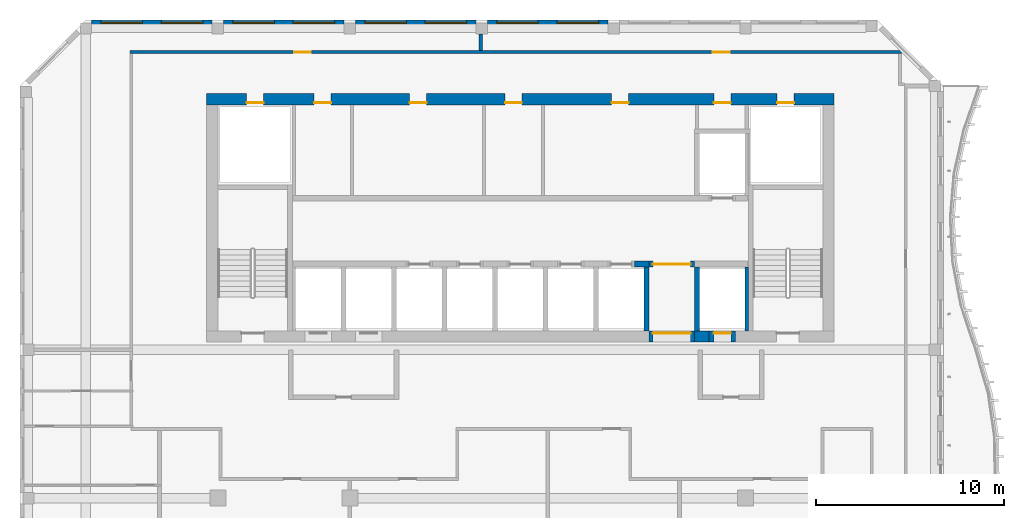
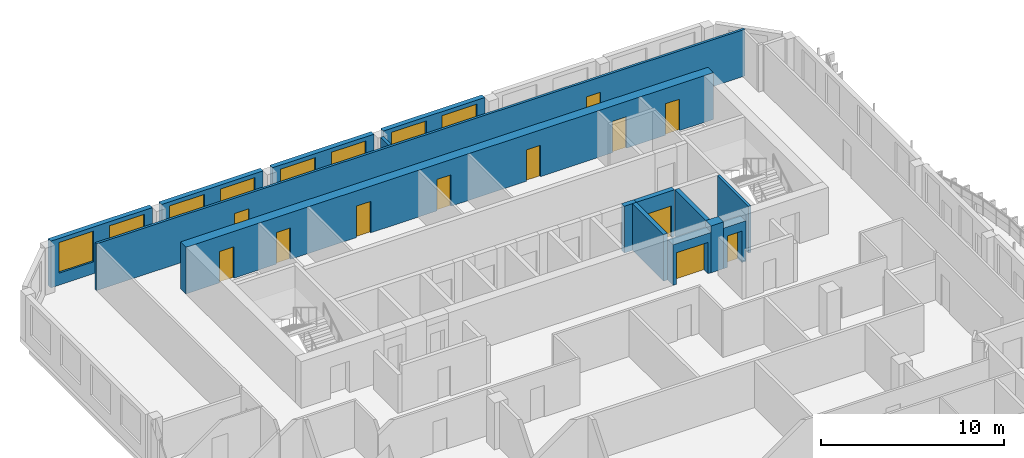
# One storey, part 7 of 17: 15 walls, 12 doors, 8 windows, 20 openings.
"""IFC4 building model written with IfcOpenShell, lengths in metres."""

from ifc_helpers import new_model, si_unit, direction, frame, frame_2d, origin, place, context, subcontext, project, spatial, rectangle, extrude, source, transform, mapped, material, layer, layer_set, type_object, element, fill, save


model = new_model("IFC4")

# Units and contexts
model_context = context("Model", 3, precision=1e-05, world=origin(), true_north=direction((0.0, 1.0)))
body_context = subcontext(model_context, "Body", "Model", "MODEL_VIEW")
ifc_project = project(units=[si_unit("LENGTHUNIT", "METRE"), si_unit("AREAUNIT", "SQUARE_METRE"), si_unit("VOLUMEUNIT", "CUBIC_METRE"), si_unit("PLANEANGLEUNIT", "RADIAN"), si_unit("MASSUNIT", "GRAM", prefix="KILO")], contexts=[model_context])

# Site, building, storey
site_placement = place(None, origin())
site = spatial("IfcSite", under=ifc_project, at=site_placement, CompositionType="ELEMENT")
building_placement = place(site_placement, origin())
building = spatial("IfcBuilding", under=site, at=building_placement, Name="Kilnfold Tower and Market Hall", CompositionType="ELEMENT")
storey_placement = place(building_placement, frame((0.0, 0.0, 308.60009765625)))
storey = spatial("IfcBuildingStorey", under=building, at=storey_placement, Name="L77", CompositionType="ELEMENT", Elevation=308.60009765625)

# Wall, openings, doors
ifc_material_1 = material(Name="Gypsum board on steel studs", Category="steel")
ifc_layer_1 = layer(ifc_material_1, 0.14990234375)
ifc_layer_set_1 = layer_set([ifc_layer_1], Name="Gypsum board on steel studs")
wall_type_1 = type_object("IfcWallType", Name="WALL CORRIDOR 150", PredefinedType="PARTITIONING", material=ifc_layer_set_1)
wall_1_placement = place(storey_placement, frame((-19.675048828125, 23.800048828125, 0.0), z_axis=(0.0, 0.0, 1.0), x_axis=(1.0, 0.0, 0.0)))
wall_1 = element("IfcWall", 1, at=wall_1_placement, inside=storey, type_object=wall_type_1, Name="Partition LY46.7", PredefinedType="PARTITIONING", context=body_context, shape_type="SweptSolid", body=[
    extrude(rectangle(XDim=40.949951171875, YDim=0.14990234375, at=frame_2d((20.47509765625, 0.0))), origin(), (0.0, 0.0, 1.0), 3.119873046875),
])
opening_1_placement = place(wall_1_placement, frame((8.716064453125, 0.0, 0.0)))
opening_1 = element("IfcOpeningElement", 2, at=opening_1_placement, cuts=wall_1, Name="Opening D2", PredefinedType="OPENING", context=body_context, shape_type="SweptSolid", body=[
    extrude(rectangle(XDim=0.89990234375, YDim=2.10009765625, at=frame_2d((0.449951171875, 1.050048828125))), frame((0.0, 0.0849609375, 0.0), z_axis=(0.0, -1.0, 0.0), x_axis=(1.0, 0.0, 0.0)), (0.0, 0.0, 1.0), 0.169921875),
])
opening_2_placement = place(wall_1_placement, frame((30.93408203125, 0.0, 0.0)))
opening_2 = element("IfcOpeningElement", 3, at=opening_2_placement, cuts=wall_1, Name="Opening D2", PredefinedType="OPENING", context=body_context, shape_type="SweptSolid", body=[
    extrude(rectangle(XDim=0.89990234375, YDim=2.10009765625, at=frame_2d((0.449951171875, 1.050048828125))), frame((0.0, 0.0849609375, 0.0), z_axis=(0.0, -1.0, 0.0), x_axis=(1.0, 0.0, 0.0)), (0.0, 0.0, 1.0), 0.169921875),
])
ifc_material_2 = material(Name="Timber veneer door leaf in steel frame", Category="steel")
door_type_1 = type_object("IfcDoorType", Name="DOOR ROOM 900 X2100", OperationType="NOTDEFINED", PredefinedType="DOOR", material=ifc_material_2)
door_1_placement = place(opening_1_placement, origin())
door_1 = element("IfcDoor", 4, at=door_1_placement, inside=storey, type_object=door_type_1, Name="Door D2", OperationType="SINGLE_SWING_LEFT", OverallHeight=2.10009765625, OverallWidth=0.89990234375, PredefinedType="DOOR", context=body_context, shape_type="SweptSolid", body=[
    extrude(rectangle(XDim=0.89990234375, YDim=2.10009765625, at=frame_2d((0.449951171875, 1.050048828125))), frame((0.0, 0.02490234375, 0.0), z_axis=(0.0, -1.0, 0.0), x_axis=(1.0, 0.0, 0.0)), (0.0, 0.0, 1.0), 0.050048828125),
])
fill(opening_1, door_1)
door_2_placement = place(opening_2_placement, origin())
door_2 = element("IfcDoor", 5, at=door_2_placement, inside=storey, type_object=door_type_1, Name="Door D2", OperationType="SINGLE_SWING_RIGHT", OverallHeight=2.10009765625, OverallWidth=0.89990234375, PredefinedType="DOOR", context=body_context, shape_type="SweptSolid", body=[
    extrude(rectangle(XDim=0.89990234375, YDim=2.10009765625, at=frame_2d((0.449951171875, 1.050048828125))), frame((0.0, 0.02490234375, 0.0), z_axis=(0.0, -1.0, 0.0), x_axis=(1.0, 0.0, 0.0)), (0.0, 0.0, 1.0), 0.050048828125),
])
fill(opening_2, door_2)

# Walls
ifc_material_3 = material(Name="Gypsum board on steel studs", Category="steel")
ifc_layer_2 = layer(ifc_material_3, 0.199951171875)
ifc_layer_set_2 = layer_set([ifc_layer_2], Name="Gypsum board on steel studs")
wall_type_2 = type_object("IfcWallType", Name="WALL PARTY 200", PredefinedType="PARTITIONING", material=ifc_layer_set_2)
wall_2_placement = place(storey_placement, frame((-1.052001953125, 23.876953125, 0.0), z_axis=(0.0, 0.0, 1.0), x_axis=(0.0, 1.0, 0.0)))
element("IfcWall", 6, at=wall_2_placement, inside=storey, type_object=wall_type_2, Name="Partition LY46.59", PredefinedType="PARTITIONING", context=body_context, shape_type="SweptSolid", body=[
    extrude(rectangle(XDim=0.873046875, YDim=0.199951171875, at=frame_2d((0.4365234375, 0.0))), origin(), (0.0, 0.0, 1.0), 3.119873046875),
])
ifc_material_4 = material(Name="Concrete C50", Category="concrete")
ifc_layer_3 = layer(ifc_material_4, 0.300048828125)
ifc_layer_set_3 = layer_set([ifc_layer_3], Name="Concrete C50")
wall_type_3 = type_object("IfcWallType", Name="CORE WALL 300 C50", PredefinedType="SHEAR", material=ifc_layer_set_3)
shared_shape_1 = source(origin(), body_context, "Body", "SweptSolid", [
    extrude(rectangle(XDim=0.77978515625, YDim=0.300048828125, at=frame_2d((0.389892578125, 0.0))), origin(), (0.0, 0.0, 1.0), 3.119873046875),
])
wall_3_placement = place(storey_placement, frame((7.110107421875, 12.550048828125, 0.0), z_axis=(0.0, 0.0, 1.0), x_axis=(1.0, 0.0, 0.0)))
element("IfcWall", 7, at=wall_3_placement, inside=storey, type_object=wall_type_3, Name="Core spine wall", PredefinedType="SHEAR", context=body_context, shape_type="MappedRepresentation", body=[
    mapped(shared_shape_1, transform((0.0, 0.0, 0.0))),
])
ifc_material_5 = material(Name="Concrete C50", Category="concrete")
ifc_layer_4 = layer(ifc_material_5, 0.60009765625)
ifc_layer_set_4 = layer_set([ifc_layer_4], Name="Concrete C50")
wall_type_4 = type_object("IfcWallType", Name="CORE WALL 600 C50", PredefinedType="SHEAR", material=ifc_layer_set_4)
shared_shape_2 = source(origin(), body_context, "Body", "SweptSolid", [
    extrude(rectangle(XDim=0.780029296875, YDim=0.60009765625, at=frame_2d((0.39013671875, 0.0))), origin(), (0.0, 0.0, 1.0), 3.119873046875),
])
wall_4_placement = place(storey_placement, frame((10.2900390625, 8.699951171875, 0.0), z_axis=(0.0, 0.0, 1.0), x_axis=(1.0, 0.0, 0.0)))
element("IfcWall", 8, at=wall_4_placement, inside=storey, type_object=wall_type_4, Name="Core outer wall south", PredefinedType="SHEAR", context=body_context, shape_type="MappedRepresentation", body=[
    mapped(shared_shape_2, transform((0.0, 0.0, 0.0))),
])

# Wall, openings, doors
shared_shape_3 = source(origin(), body_context, "Body", "SweptSolid", [
    extrude(rectangle(XDim=33.300048828125, YDim=0.60009765625, at=frame_2d((16.64990234375, 0.0))), origin(), (0.0, 0.0, 1.0), 3.119873046875),
])
wall_5_placement = place(storey_placement, frame((-15.60009765625, 21.300048828125, 0.0), z_axis=(0.0, 0.0, 1.0), x_axis=(1.0, 0.0, 0.0)))
wall_5 = element("IfcWall", 9, at=wall_5_placement, inside=storey, type_object=wall_type_4, Name="Core outer wall north", PredefinedType="SHEAR", context=body_context, shape_type="MappedRepresentation", body=[
    mapped(shared_shape_3, transform((0.0, 0.0, 0.0))),
])
opening_3_placement = place(wall_5_placement, frame((5.707763671875, 0.0, 0.0)))
opening_3 = element("IfcOpeningElement", 10, at=opening_3_placement, cuts=wall_5, Name="Opening KD1", PredefinedType="OPENING", context=body_context, shape_type="SweptSolid", body=[
    extrude(rectangle(XDim=0.89990234375, YDim=2.10009765625, at=frame_2d((0.449951171875, 1.050048828125))), frame((0.0, 0.31005859375, 0.0), z_axis=(0.0, -1.0, 0.0), x_axis=(1.0, 0.0, 0.0)), (0.0, 0.0, 1.0), 0.6201171875),
])
opening_4_placement = place(wall_5_placement, frame((10.77294921875, 0.0, 0.0)))
opening_4 = element("IfcOpeningElement", 11, at=opening_4_placement, cuts=wall_5, Name="Opening KD1", PredefinedType="OPENING", context=body_context, shape_type="SweptSolid", body=[
    extrude(rectangle(XDim=0.89990234375, YDim=2.10009765625, at=frame_2d((0.449951171875, 1.050048828125))), frame((0.0, 0.31005859375, 0.0), z_axis=(0.0, -1.0, 0.0), x_axis=(1.0, 0.0, 0.0)), (0.0, 0.0, 1.0), 0.6201171875),
])
opening_5_placement = place(wall_5_placement, frame((15.838134765625, 0.0, 0.0)))
opening_5 = element("IfcOpeningElement", 12, at=opening_5_placement, cuts=wall_5, Name="Opening KD1", PredefinedType="OPENING", context=body_context, shape_type="SweptSolid", body=[
    extrude(rectangle(XDim=0.89990234375, YDim=2.10009765625, at=frame_2d((0.449951171875, 1.050048828125))), frame((0.0, 0.31005859375, 0.0), z_axis=(0.0, -1.0, 0.0), x_axis=(1.0, 0.0, 0.0)), (0.0, 0.0, 1.0), 0.6201171875),
])
opening_6_placement = place(wall_5_placement, frame((21.492919921875, 0.0, 0.0)))
opening_6 = element("IfcOpeningElement", 13, at=opening_6_placement, cuts=wall_5, Name="Opening KD1", PredefinedType="OPENING", context=body_context, shape_type="SweptSolid", body=[
    extrude(rectangle(XDim=0.89990234375, YDim=2.10009765625, at=frame_2d((0.449951171875, 1.050048828125))), frame((0.0, 0.31005859375, 0.0), z_axis=(0.0, -1.0, 0.0), x_axis=(1.0, 0.0, 0.0)), (0.0, 0.0, 1.0), 0.6201171875),
])
opening_7_placement = place(wall_5_placement, frame((26.919921875, 0.0, 0.0)))
opening_7 = element("IfcOpeningElement", 14, at=opening_7_placement, cuts=wall_5, Name="Opening KD1", PredefinedType="OPENING", context=body_context, shape_type="SweptSolid", body=[
    extrude(rectangle(XDim=0.89990234375, YDim=2.10009765625, at=frame_2d((0.449951171875, 1.050048828125))), frame((0.0, 0.31005859375, 0.0), z_axis=(0.0, -1.0, 0.0), x_axis=(1.0, 0.0, 0.0)), (0.0, 0.0, 1.0), 0.6201171875),
])
opening_8_placement = place(wall_5_placement, frame((2.125, 0.0, 0.0)))
opening_8 = element("IfcOpeningElement", 15, at=opening_8_placement, cuts=wall_5, Name="Opening KD1", PredefinedType="OPENING", context=body_context, shape_type="SweptSolid", body=[
    extrude(rectangle(XDim=0.89990234375, YDim=2.10009765625, at=frame_2d((0.449951171875, 1.050048828125))), frame((0.0, 0.31005859375, 0.0), z_axis=(0.0, -1.0, 0.0), x_axis=(1.0, 0.0, 0.0)), (0.0, 0.0, 1.0), 0.6201171875),
])
opening_9_placement = place(wall_5_placement, frame((30.27490234375, 0.0, 0.0)))
opening_9 = element("IfcOpeningElement", 16, at=opening_9_placement, cuts=wall_5, Name="Opening KD1", PredefinedType="OPENING", context=body_context, shape_type="SweptSolid", body=[
    extrude(rectangle(XDim=0.89990234375, YDim=2.10009765625, at=frame_2d((0.449951171875, 1.050048828125))), frame((0.0, 0.31005859375, 0.0), z_axis=(0.0, -1.0, 0.0), x_axis=(1.0, 0.0, 0.0)), (0.0, 0.0, 1.0), 0.6201171875),
])
ifc_material_6 = material(Name="Steel door set with fire-resisting leaf", Category="steel")
door_type_2 = type_object("IfcDoorType", Name="SERVICE DOOR 900X2100", OperationType="NOTDEFINED", PredefinedType="DOOR", material=ifc_material_6)
door_3_placement = place(opening_3_placement, origin())
door_3 = element("IfcDoor", 17, at=door_3_placement, inside=storey, type_object=door_type_2, Name="Core service door", OperationType="SINGLE_SWING_RIGHT", OverallHeight=2.10009765625, OverallWidth=0.89990234375, PredefinedType="DOOR", context=body_context, shape_type="SweptSolid", body=[
    extrude(rectangle(XDim=0.89990234375, YDim=2.10009765625, at=frame_2d((0.449951171875, 1.050048828125))), frame((0.0, -0.15478515625, 0.0), z_axis=(0.0, -1.0, 0.0), x_axis=(1.0, 0.0, 0.0)), (0.0, 0.0, 1.0), 0.050048828125),
])
fill(opening_3, door_3)
door_4_placement = place(opening_4_placement, origin())
door_4 = element("IfcDoor", 18, at=door_4_placement, inside=storey, type_object=door_type_2, Name="Core service door", OperationType="SINGLE_SWING_LEFT", OverallHeight=2.10009765625, OverallWidth=0.89990234375, PredefinedType="DOOR", context=body_context, shape_type="SweptSolid", body=[
    extrude(rectangle(XDim=0.89990234375, YDim=2.10009765625, at=frame_2d((0.449951171875, 1.050048828125))), frame((0.0, -0.15478515625, 0.0), z_axis=(0.0, -1.0, 0.0), x_axis=(1.0, 0.0, 0.0)), (0.0, 0.0, 1.0), 0.050048828125),
])
fill(opening_4, door_4)
door_5_placement = place(opening_5_placement, origin())
door_5 = element("IfcDoor", 19, at=door_5_placement, inside=storey, type_object=door_type_2, Name="Core service door", OperationType="SINGLE_SWING_RIGHT", OverallHeight=2.10009765625, OverallWidth=0.89990234375, PredefinedType="DOOR", context=body_context, shape_type="SweptSolid", body=[
    extrude(rectangle(XDim=0.89990234375, YDim=2.10009765625, at=frame_2d((0.449951171875, 1.050048828125))), frame((0.0, -0.15478515625, 0.0), z_axis=(0.0, -1.0, 0.0), x_axis=(1.0, 0.0, 0.0)), (0.0, 0.0, 1.0), 0.050048828125),
])
fill(opening_5, door_5)
door_6_placement = place(opening_6_placement, origin())
door_6 = element("IfcDoor", 20, at=door_6_placement, inside=storey, type_object=door_type_2, Name="Core service door", OperationType="SINGLE_SWING_LEFT", OverallHeight=2.10009765625, OverallWidth=0.89990234375, PredefinedType="DOOR", context=body_context, shape_type="SweptSolid", body=[
    extrude(rectangle(XDim=0.89990234375, YDim=2.10009765625, at=frame_2d((0.449951171875, 1.050048828125))), frame((0.0, -0.15478515625, 0.0), z_axis=(0.0, -1.0, 0.0), x_axis=(1.0, 0.0, 0.0)), (0.0, 0.0, 1.0), 0.050048828125),
])
fill(opening_6, door_6)
door_7_placement = place(opening_7_placement, origin())
door_7 = element("IfcDoor", 21, at=door_7_placement, inside=storey, type_object=door_type_2, Name="Core service door", OperationType="SINGLE_SWING_RIGHT", OverallHeight=2.10009765625, OverallWidth=0.89990234375, PredefinedType="DOOR", context=body_context, shape_type="SweptSolid", body=[
    extrude(rectangle(XDim=0.89990234375, YDim=2.10009765625, at=frame_2d((0.449951171875, 1.050048828125))), frame((0.0, -0.15478515625, 0.0), z_axis=(0.0, -1.0, 0.0), x_axis=(1.0, 0.0, 0.0)), (0.0, 0.0, 1.0), 0.050048828125),
])
fill(opening_7, door_7)
door_8_placement = place(opening_8_placement, origin())
door_8 = element("IfcDoor", 22, at=door_8_placement, inside=storey, type_object=door_type_2, Name="Electrical riser access door", OperationType="SINGLE_SWING_LEFT", OverallHeight=2.10009765625, OverallWidth=0.89990234375, PredefinedType="DOOR", context=body_context, shape_type="SweptSolid", body=[
    extrude(rectangle(XDim=0.89990234375, YDim=2.10009765625, at=frame_2d((0.449951171875, 1.050048828125))), frame((0.0, -0.15478515625, 0.0), z_axis=(0.0, -1.0, 0.0), x_axis=(1.0, 0.0, 0.0)), (0.0, 0.0, 1.0), 0.050048828125),
])
fill(opening_8, door_8)
door_9_placement = place(opening_9_placement, origin())
door_9 = element("IfcDoor", 23, at=door_9_placement, inside=storey, type_object=door_type_2, Name="Mechanical riser access door", OperationType="SINGLE_SWING_RIGHT", OverallHeight=2.10009765625, OverallWidth=0.89990234375, PredefinedType="DOOR", context=body_context, shape_type="SweptSolid", body=[
    extrude(rectangle(XDim=0.89990234375, YDim=2.10009765625, at=frame_2d((0.449951171875, 1.050048828125))), frame((0.0, -0.15478515625, 0.0), z_axis=(0.0, -1.0, 0.0), x_axis=(1.0, 0.0, 0.0)), (0.0, 0.0, 1.0), 0.050048828125),
])
fill(opening_9, door_9)

# Wall, openings, windows
ifc_material_7 = material(Name="Precast concrete C50/60", Category="concrete")
ifc_layer_5 = layer(ifc_material_7, 0.300048828125)
ifc_layer_set_5 = layer_set([ifc_layer_5], Name="Precast concrete C50/60")
wall_type_5 = type_object("IfcWallType", Name="PRECAST WALL 300", PredefinedType="SOLIDWALL", material=ifc_layer_set_5)
shared_shape_4 = source(origin(), body_context, "Body", "SweptSolid", [
    extrude(rectangle(XDim=6.39990234375, YDim=0.300048828125, at=frame_2d((3.199951171875, 0.0))), origin(), (0.0, 0.0, 1.0), 3.119873046875),
])
wall_6_placement = place(storey_placement, frame((5.699951171875, 25.35009765625, 0.0), z_axis=(0.0, 0.0, 1.0), x_axis=(-1.0, 0.0, 0.0)))
wall_6 = element("IfcWall", 24, at=wall_6_placement, inside=storey, type_object=wall_type_5, Name="External wall L77 N", PredefinedType="SOLIDWALL", context=body_context, shape_type="MappedRepresentation", body=[
    mapped(shared_shape_4, transform((0.0, 0.0, 0.0))),
])
opening_10_placement = place(wall_6_placement, frame((0.5, 0.0, 0.800048828125)))
opening_10 = element("IfcOpeningElement", 25, at=opening_10_placement, cuts=wall_6, Name="Opening W3", PredefinedType="OPENING", context=body_context, shape_type="SweptSolid", body=[
    extrude(rectangle(XDim=2.199951171875, YDim=2.050048828125, at=frame_2d((1.10009765625, 1.02490234375))), frame((0.0, 0.16015625, 0.0), z_axis=(0.0, -1.0, 0.0), x_axis=(1.0, 0.0, 0.0)), (0.0, 0.0, 1.0), 0.320068359375),
])
opening_11_placement = place(wall_6_placement, frame((3.699951171875, 0.0, 0.800048828125)))
opening_11 = element("IfcOpeningElement", 26, at=opening_11_placement, cuts=wall_6, Name="Opening W3", PredefinedType="OPENING", context=body_context, shape_type="SweptSolid", body=[
    extrude(rectangle(XDim=2.199951171875, YDim=2.050048828125, at=frame_2d((1.10009765625, 1.02490234375))), frame((0.0, 0.16015625, 0.0), z_axis=(0.0, -1.0, 0.0), x_axis=(1.0, 0.0, 0.0)), (0.0, 0.0, 1.0), 0.320068359375),
])
ifc_material_8 = material(Name="Aluminium frame and double glazing", Category="aluminium")
window_type = type_object("IfcWindowType", Name="WINDOW W3 2200X2050", PartitioningType="SINGLE_PANEL", PredefinedType="WINDOW", material=ifc_material_8)
window_1_placement = place(opening_10_placement, origin())
window_1 = element("IfcWindow", 27, at=window_1_placement, inside=storey, type_object=window_type, Name="Window W3 L77 N-1", OverallHeight=2.050048828125, OverallWidth=2.199951171875, PartitioningType="SINGLE_PANEL", PredefinedType="WINDOW", context=body_context, shape_type="SweptSolid", body=[
    extrude(rectangle(XDim=2.199951171875, YDim=2.050048828125, at=frame_2d((1.10009765625, 1.02490234375))), frame((0.0, 0.030029296875, 0.0), z_axis=(0.0, -1.0, 0.0), x_axis=(1.0, 0.0, 0.0)), (0.0, 0.0, 1.0), 0.06005859375),
])
fill(opening_10, window_1)
window_2_placement = place(opening_11_placement, origin())
window_2 = element("IfcWindow", 28, at=window_2_placement, inside=storey, type_object=window_type, Name="Window W3 L77 N-2", OverallHeight=2.050048828125, OverallWidth=2.199951171875, PartitioningType="SINGLE_PANEL", PredefinedType="WINDOW", context=body_context, shape_type="SweptSolid", body=[
    extrude(rectangle(XDim=2.199951171875, YDim=2.050048828125, at=frame_2d((1.10009765625, 1.02490234375))), frame((0.0, 0.030029296875, 0.0), z_axis=(0.0, -1.0, 0.0), x_axis=(1.0, 0.0, 0.0)), (0.0, 0.0, 1.0), 0.06005859375),
])
fill(opening_11, window_2)

wall_7_placement = place(storey_placement, frame((-1.300048828125, 25.35009765625, 0.0), z_axis=(0.0, 0.0, 1.0), x_axis=(-1.0, 0.0, 0.0)))
wall_7 = element("IfcWall", 29, at=wall_7_placement, inside=storey, type_object=wall_type_5, Name="External wall L77 N", PredefinedType="SOLIDWALL", context=body_context, shape_type="MappedRepresentation", body=[
    mapped(shared_shape_4, transform((0.0, 0.0, 0.0))),
])
opening_12_placement = place(wall_7_placement, frame((0.5, 0.0, 0.800048828125)))
opening_12 = element("IfcOpeningElement", 30, at=opening_12_placement, cuts=wall_7, Name="Opening W3", PredefinedType="OPENING", context=body_context, shape_type="SweptSolid", body=[
    extrude(rectangle(XDim=2.199951171875, YDim=2.050048828125, at=frame_2d((1.10009765625, 1.02490234375))), frame((0.0, 0.16015625, 0.0), z_axis=(0.0, -1.0, 0.0), x_axis=(1.0, 0.0, 0.0)), (0.0, 0.0, 1.0), 0.320068359375),
])
opening_13_placement = place(wall_7_placement, frame((3.699951171875, 0.0, 0.800048828125)))
opening_13 = element("IfcOpeningElement", 31, at=opening_13_placement, cuts=wall_7, Name="Opening W3", PredefinedType="OPENING", context=body_context, shape_type="SweptSolid", body=[
    extrude(rectangle(XDim=2.199951171875, YDim=2.050048828125, at=frame_2d((1.10009765625, 1.02490234375))), frame((0.0, 0.16015625, 0.0), z_axis=(0.0, -1.0, 0.0), x_axis=(1.0, 0.0, 0.0)), (0.0, 0.0, 1.0), 0.320068359375),
])
window_3_placement = place(opening_12_placement, origin())
window_3 = element("IfcWindow", 32, at=window_3_placement, inside=storey, type_object=window_type, Name="Window W3 L77 N-1", OverallHeight=2.050048828125, OverallWidth=2.199951171875, PartitioningType="SINGLE_PANEL", PredefinedType="WINDOW", context=body_context, shape_type="SweptSolid", body=[
    extrude(rectangle(XDim=2.199951171875, YDim=2.050048828125, at=frame_2d((1.10009765625, 1.02490234375))), frame((0.0, 0.030029296875, 0.0), z_axis=(0.0, -1.0, 0.0), x_axis=(1.0, 0.0, 0.0)), (0.0, 0.0, 1.0), 0.06005859375),
])
fill(opening_12, window_3)
window_4_placement = place(opening_13_placement, origin())
window_4 = element("IfcWindow", 33, at=window_4_placement, inside=storey, type_object=window_type, Name="Window W3 L77 N-2", OverallHeight=2.050048828125, OverallWidth=2.199951171875, PartitioningType="SINGLE_PANEL", PredefinedType="WINDOW", context=body_context, shape_type="SweptSolid", body=[
    extrude(rectangle(XDim=2.199951171875, YDim=2.050048828125, at=frame_2d((1.10009765625, 1.02490234375))), frame((0.0, 0.030029296875, 0.0), z_axis=(0.0, -1.0, 0.0), x_axis=(1.0, 0.0, 0.0)), (0.0, 0.0, 1.0), 0.06005859375),
])
fill(opening_13, window_4)

wall_8_placement = place(storey_placement, frame((-8.300048828125, 25.35009765625, 0.0), z_axis=(0.0, 0.0, 1.0), x_axis=(-1.0, 0.0, 0.0)))
wall_8 = element("IfcWall", 34, at=wall_8_placement, inside=storey, type_object=wall_type_5, Name="External wall L77 N", PredefinedType="SOLIDWALL", context=body_context, shape_type="MappedRepresentation", body=[
    mapped(shared_shape_4, transform((0.0, 0.0, 0.0))),
])
opening_14_placement = place(wall_8_placement, frame((0.5, 0.0, 0.800048828125)))
opening_14 = element("IfcOpeningElement", 35, at=opening_14_placement, cuts=wall_8, Name="Opening W3", PredefinedType="OPENING", context=body_context, shape_type="SweptSolid", body=[
    extrude(rectangle(XDim=2.199951171875, YDim=2.050048828125, at=frame_2d((1.10009765625, 1.02490234375))), frame((0.0, 0.16015625, 0.0), z_axis=(0.0, -1.0, 0.0), x_axis=(1.0, 0.0, 0.0)), (0.0, 0.0, 1.0), 0.320068359375),
])
opening_15_placement = place(wall_8_placement, frame((3.699951171875, 0.0, 0.800048828125)))
opening_15 = element("IfcOpeningElement", 36, at=opening_15_placement, cuts=wall_8, Name="Opening W3", PredefinedType="OPENING", context=body_context, shape_type="SweptSolid", body=[
    extrude(rectangle(XDim=2.199951171875, YDim=2.050048828125, at=frame_2d((1.10009765625, 1.02490234375))), frame((0.0, 0.16015625, 0.0), z_axis=(0.0, -1.0, 0.0), x_axis=(1.0, 0.0, 0.0)), (0.0, 0.0, 1.0), 0.320068359375),
])
window_5_placement = place(opening_14_placement, origin())
window_5 = element("IfcWindow", 37, at=window_5_placement, inside=storey, type_object=window_type, Name="Window W3 L77 N-1", OverallHeight=2.050048828125, OverallWidth=2.199951171875, PartitioningType="SINGLE_PANEL", PredefinedType="WINDOW", context=body_context, shape_type="SweptSolid", body=[
    extrude(rectangle(XDim=2.199951171875, YDim=2.050048828125, at=frame_2d((1.10009765625, 1.02490234375))), frame((0.0, 0.030029296875, 0.0), z_axis=(0.0, -1.0, 0.0), x_axis=(1.0, 0.0, 0.0)), (0.0, 0.0, 1.0), 0.06005859375),
])
fill(opening_14, window_5)
window_6_placement = place(opening_15_placement, origin())
window_6 = element("IfcWindow", 38, at=window_6_placement, inside=storey, type_object=window_type, Name="Window W3 L77 N-2", OverallHeight=2.050048828125, OverallWidth=2.199951171875, PartitioningType="SINGLE_PANEL", PredefinedType="WINDOW", context=body_context, shape_type="SweptSolid", body=[
    extrude(rectangle(XDim=2.199951171875, YDim=2.050048828125, at=frame_2d((1.10009765625, 1.02490234375))), frame((0.0, 0.030029296875, 0.0), z_axis=(0.0, -1.0, 0.0), x_axis=(1.0, 0.0, 0.0)), (0.0, 0.0, 1.0), 0.06005859375),
])
fill(opening_15, window_6)

wall_9_placement = place(storey_placement, frame((-15.300048828125, 25.35009765625, 0.0), z_axis=(0.0, 0.0, 1.0), x_axis=(-1.0, 0.0, 0.0)))
wall_9 = element("IfcWall", 39, at=wall_9_placement, inside=storey, type_object=wall_type_5, Name="External wall L77 N", PredefinedType="SOLIDWALL", context=body_context, shape_type="MappedRepresentation", body=[
    mapped(shared_shape_4, transform((0.0, 0.0, 0.0))),
])
opening_16_placement = place(wall_9_placement, frame((0.5, 0.0, 0.800048828125)))
opening_16 = element("IfcOpeningElement", 40, at=opening_16_placement, cuts=wall_9, Name="Opening W3", PredefinedType="OPENING", context=body_context, shape_type="SweptSolid", body=[
    extrude(rectangle(XDim=2.199951171875, YDim=2.050048828125, at=frame_2d((1.10009765625, 1.02490234375))), frame((0.0, 0.16015625, 0.0), z_axis=(0.0, -1.0, 0.0), x_axis=(1.0, 0.0, 0.0)), (0.0, 0.0, 1.0), 0.320068359375),
])
opening_17_placement = place(wall_9_placement, frame((3.699951171875, 0.0, 0.800048828125)))
opening_17 = element("IfcOpeningElement", 41, at=opening_17_placement, cuts=wall_9, Name="Opening W3", PredefinedType="OPENING", context=body_context, shape_type="SweptSolid", body=[
    extrude(rectangle(XDim=2.199951171875, YDim=2.050048828125, at=frame_2d((1.10009765625, 1.02490234375))), frame((0.0, 0.16015625, 0.0), z_axis=(0.0, -1.0, 0.0), x_axis=(1.0, 0.0, 0.0)), (0.0, 0.0, 1.0), 0.320068359375),
])
window_7_placement = place(opening_16_placement, origin())
window_7 = element("IfcWindow", 42, at=window_7_placement, inside=storey, type_object=window_type, Name="Window W3 L77 N-1", OverallHeight=2.050048828125, OverallWidth=2.199951171875, PartitioningType="SINGLE_PANEL", PredefinedType="WINDOW", context=body_context, shape_type="SweptSolid", body=[
    extrude(rectangle(XDim=2.199951171875, YDim=2.050048828125, at=frame_2d((1.10009765625, 1.02490234375))), frame((0.0, 0.030029296875, 0.0), z_axis=(0.0, -1.0, 0.0), x_axis=(1.0, 0.0, 0.0)), (0.0, 0.0, 1.0), 0.06005859375),
])
fill(opening_16, window_7)
window_8_placement = place(opening_17_placement, origin())
window_8 = element("IfcWindow", 43, at=window_8_placement, inside=storey, type_object=window_type, Name="Window W3 L77 N-2", OverallHeight=2.050048828125, OverallWidth=2.199951171875, PartitioningType="SINGLE_PANEL", PredefinedType="WINDOW", context=body_context, shape_type="SweptSolid", body=[
    extrude(rectangle(XDim=2.199951171875, YDim=2.050048828125, at=frame_2d((1.10009765625, 1.02490234375))), frame((0.0, 0.030029296875, 0.0), z_axis=(0.0, -1.0, 0.0), x_axis=(1.0, 0.0, 0.0)), (0.0, 0.0, 1.0), 0.06005859375),
])
fill(opening_17, window_8)

# Wall, opening, door
ifc_material_9 = material(Name="Gypsum shaft wall system")
ifc_layer_6 = layer(ifc_material_9, 0.300048828125)
ifc_layer_set_6 = layer_set([ifc_layer_6], Name="Gypsum shaft wall system")
wall_type_6 = type_object("IfcWallType", Name="SHAFT WALL 300", PredefinedType="PARTITIONING", material=ifc_layer_set_6)
shared_shape_5 = source(origin(), body_context, "Body", "SweptSolid", [
    extrude(rectangle(XDim=2.400146484375, YDim=0.300048828125, at=frame_2d((1.2001953125, 0.0))), origin(), (0.0, 0.0, 1.0), 3.119873046875),
])
wall_10_placement = place(storey_placement, frame((7.889892578125, 12.550048828125, 0.0), z_axis=(0.0, 0.0, 1.0), x_axis=(1.0, 0.0, 0.0)))
wall_10 = element("IfcWall", 44, at=wall_10_placement, inside=storey, type_object=wall_type_6, Name="Lift shaft front wall", PredefinedType="PARTITIONING", context=body_context, shape_type="MappedRepresentation", body=[
    mapped(shared_shape_5, transform((0.0, 0.0, 0.0))),
])
opening_18_placement = place(wall_10_placement, frame((0.199951171875, 0.0, 0.0)))
opening_18 = element("IfcOpeningElement", 45, at=opening_18_placement, cuts=wall_10, Name="Opening VD2", PredefinedType="OPENING", context=body_context, shape_type="SweptSolid", body=[
    extrude(rectangle(XDim=2.0, YDim=2.10009765625, at=frame_2d((1.0, 1.050048828125))), frame((0.0, 0.16015625, 0.0), z_axis=(0.0, -1.0, 0.0), x_axis=(1.0, 0.0, 0.0)), (0.0, 0.0, 1.0), 0.320068359375),
])
ifc_material_10 = material(Name="Steel door set with fire-resisting leaf", Category="steel")
door_type_3 = type_object("IfcDoorType", Name="LIFT LOBBY ENTRANCE DOOR 2000X2100", OperationType="NOTDEFINED", PredefinedType="DOOR", material=ifc_material_10)
door_10_placement = place(opening_18_placement, origin())
door_10 = element("IfcDoor", 46, at=door_10_placement, inside=storey, type_object=door_type_3, Name="Lift lobby entrance door", OperationType="DOUBLE_DOOR_SINGLE_SWING", OverallHeight=2.10009765625, OverallWidth=2.0, PredefinedType="DOOR", context=body_context, shape_type="SweptSolid", body=[
    extrude(rectangle(XDim=2.0, YDim=2.10009765625, at=frame_2d((1.0, 1.050048828125))), frame((0.0, 0.02490234375, 0.0), z_axis=(0.0, -1.0, 0.0), x_axis=(1.0, 0.0, 0.0)), (0.0, 0.0, 1.0), 0.050048828125),
])
fill(opening_18, door_10)

# Walls
ifc_material_11 = material(Name="Gypsum shaft wall system")
ifc_layer_7 = layer(ifc_material_11, 0.25)
ifc_layer_set_7 = layer_set([ifc_layer_7], Name="Gypsum shaft wall system")
wall_type_7 = type_object("IfcWallType", Name="SHAFT WALL 250", PredefinedType="PARTITIONING", material=ifc_layer_set_7)
shared_shape_6 = source(origin(), body_context, "Body", "SweptSolid", [
    extrude(rectangle(XDim=3.39990234375, YDim=0.25, at=frame_2d((1.699951171875, 0.0))), origin(), (0.0, 0.0, 1.0), 3.119873046875),
])
for number, where, z_axis, x_axis, name in (
    (47, (10.429931640625, 9.0, 0.0), (0.0, 0.0, 1.0), (0.0, 1.0, 0.0), "Lift shaft wall"),
    (48, (7.75, 9.0, 0.0), (0.0, 0.0, 1.0), (0.0, 1.0, 0.0), "Lift shaft wall"),
):
    element("IfcWall", number, at=place(storey_placement, frame(where, z_axis=z_axis, x_axis=x_axis)), inside=storey, type_object=wall_type_7, Name=name, PredefinedType="PARTITIONING", context=body_context, shape_type="MappedRepresentation", body=[
        mapped(shared_shape_6, transform((0.0, 0.0, 0.0))),
    ])
ifc_material_12 = material(Name="Gypsum shaft wall system")
ifc_layer_8 = layer(ifc_material_12, 0.1650390625)
ifc_layer_set_8 = layer_set([ifc_layer_8], Name="Gypsum shaft wall system")
wall_type_8 = type_object("IfcWallType", Name="SHAFT WALL 165", PredefinedType="PARTITIONING", material=ifc_layer_set_8)
shared_shape_7 = source(origin(), body_context, "Body", "SweptSolid", [
    extrude(rectangle(XDim=3.39990234375, YDim=0.1650390625, at=frame_2d((1.699951171875, 0.0))), origin(), (0.0, 0.0, 1.0), 3.119873046875),
])
wall_11_placement = place(storey_placement, frame((13.0673828125, 9.0, 0.0), z_axis=(0.0, 0.0, 1.0), x_axis=(0.0, 1.0, 0.0)))
element("IfcWall", 49, at=wall_11_placement, inside=storey, type_object=wall_type_8, Name="Lift shaft wall", PredefinedType="PARTITIONING", context=body_context, shape_type="MappedRepresentation", body=[
    mapped(shared_shape_7, transform((0.0, 0.0, 0.0))),
])

# Wall, opening, door
ifc_material_13 = material(Name="Gypsum shaft wall system")
ifc_layer_9 = layer(ifc_material_13, 0.60009765625)
ifc_layer_set_9 = layer_set([ifc_layer_9], Name="Gypsum shaft wall system")
wall_type_9 = type_object("IfcWallType", Name="LOBBY WALL 600", PredefinedType="PARTITIONING", material=ifc_layer_set_9)
shared_shape_8 = source(origin(), body_context, "Body", "SweptSolid", [
    extrude(rectangle(XDim=1.39990234375, YDim=0.60009765625, at=frame_2d((0.699951171875, 0.0))), origin(), (0.0, 0.0, 1.0), 2.699951171875),
])
wall_12_placement = place(storey_placement, frame((11.070068359375, 8.699951171875, 0.0), z_axis=(0.0, 0.0, 1.0), x_axis=(1.0, 0.0, 0.0)))
wall_12 = element("IfcWall", 50, at=wall_12_placement, inside=storey, type_object=wall_type_9, Name="Core wall infill", PredefinedType="PARTITIONING", context=body_context, shape_type="MappedRepresentation", body=[
    mapped(shared_shape_8, transform((0.0, 0.0, 0.0))),
])
opening_19_placement = place(wall_12_placement, frame((0.25, 0.0, 0.0)))
opening_19 = element("IfcOpeningElement", 51, at=opening_19_placement, cuts=wall_12, Name="Opening LD1", PredefinedType="OPENING", context=body_context, shape_type="SweptSolid", body=[
    extrude(rectangle(XDim=0.89990234375, YDim=2.10009765625, at=frame_2d((0.449951171875, 1.050048828125))), frame((0.0, 0.31005859375, 0.0), z_axis=(0.0, -1.0, 0.0), x_axis=(1.0, 0.0, 0.0)), (0.0, 0.0, 1.0), 0.6201171875),
])
ifc_material_14 = material(Name="Steel door set with fire-resisting leaf", Category="steel")
door_type_4 = type_object("IfcDoorType", Name="FIREFIGHTING LANDING DOOR 900X2100", OperationType="NOTDEFINED", PredefinedType="DOOR", material=ifc_material_14)
door_11_placement = place(opening_19_placement, origin())
door_11 = element("IfcDoor", 52, at=door_11_placement, inside=storey, type_object=door_type_4, Name="Landing door FF3", OperationType="SLIDING_TO_LEFT", OverallHeight=2.10009765625, OverallWidth=0.89990234375, PredefinedType="DOOR", context=body_context, shape_type="SweptSolid", body=[
    extrude(rectangle(XDim=0.89990234375, YDim=2.10009765625, at=frame_2d((0.449951171875, 1.050048828125))), frame((0.0, 0.205078125, 0.0), z_axis=(0.0, -1.0, 0.0), x_axis=(1.0, 0.0, 0.0)), (0.0, 0.0, 1.0), 0.050048828125),
])
fill(opening_19, door_11)

shared_shape_9 = source(origin(), body_context, "Body", "SweptSolid", [
    extrude(rectangle(XDim=2.400146484375, YDim=0.60009765625, at=frame_2d((1.2001953125, 0.0))), origin(), (0.0, 0.0, 1.0), 2.699951171875),
])
wall_13_placement = place(storey_placement, frame((7.889892578125, 8.699951171875, 0.0), z_axis=(0.0, 0.0, 1.0), x_axis=(1.0, 0.0, 0.0)))
wall_13 = element("IfcWall", 53, at=wall_13_placement, inside=storey, type_object=wall_type_9, Name="Core wall infill", PredefinedType="PARTITIONING", context=body_context, shape_type="MappedRepresentation", body=[
    mapped(shared_shape_9, transform((0.0, 0.0, 0.0))),
])
opening_20_placement = place(wall_13_placement, frame((0.199951171875, 0.0, 0.0)))
opening_20 = element("IfcOpeningElement", 54, at=opening_20_placement, cuts=wall_13, Name="Opening VD2", PredefinedType="OPENING", context=body_context, shape_type="SweptSolid", body=[
    extrude(rectangle(XDim=2.0, YDim=2.10009765625, at=frame_2d((1.0, 1.050048828125))), frame((0.0, 0.31005859375, 0.0), z_axis=(0.0, -1.0, 0.0), x_axis=(1.0, 0.0, 0.0)), (0.0, 0.0, 1.0), 0.6201171875),
])
door_12_placement = place(opening_20_placement, origin())
door_12 = element("IfcDoor", 55, at=door_12_placement, inside=storey, type_object=door_type_3, Name="Lift lobby entrance door", OperationType="DOUBLE_DOOR_SINGLE_SWING", OverallHeight=2.10009765625, OverallWidth=2.0, PredefinedType="DOOR", context=body_context, shape_type="SweptSolid", body=[
    extrude(rectangle(XDim=2.0, YDim=2.10009765625, at=frame_2d((1.0, 1.050048828125))), frame((0.0, 0.205078125, 0.0), z_axis=(0.0, -1.0, 0.0), x_axis=(1.0, 0.0, 0.0)), (0.0, 0.0, 1.0), 0.050048828125),
])
fill(opening_20, door_12)

save(model, "model.ifc")
